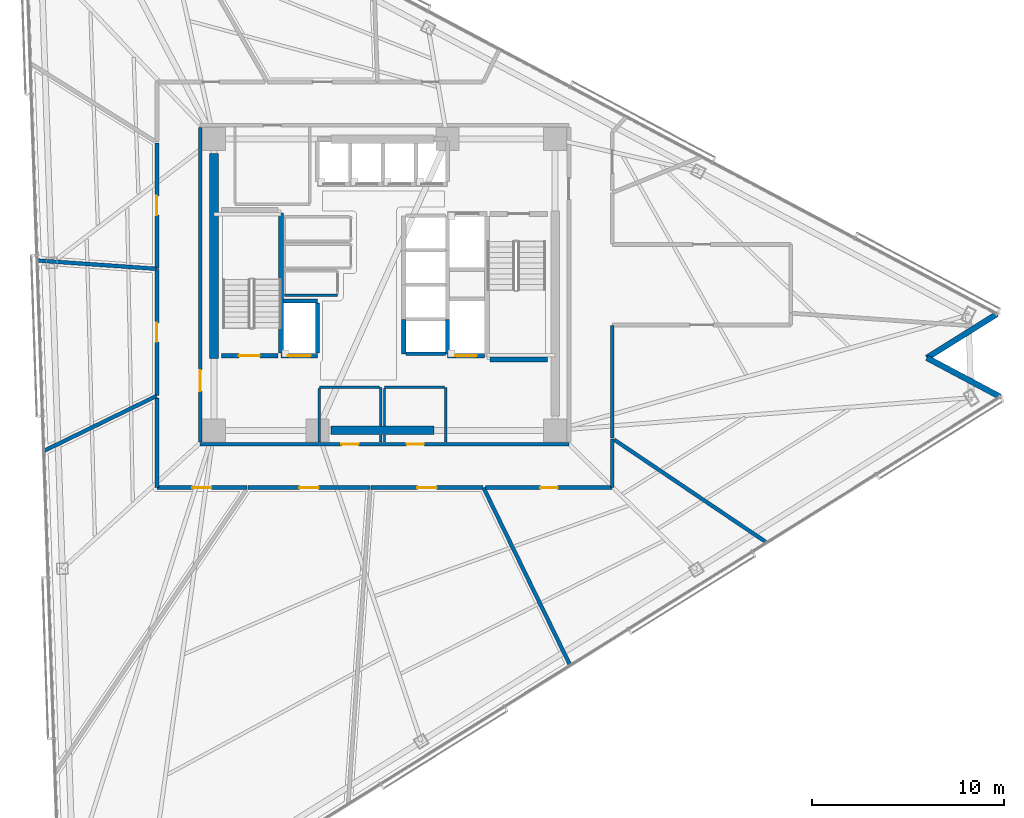
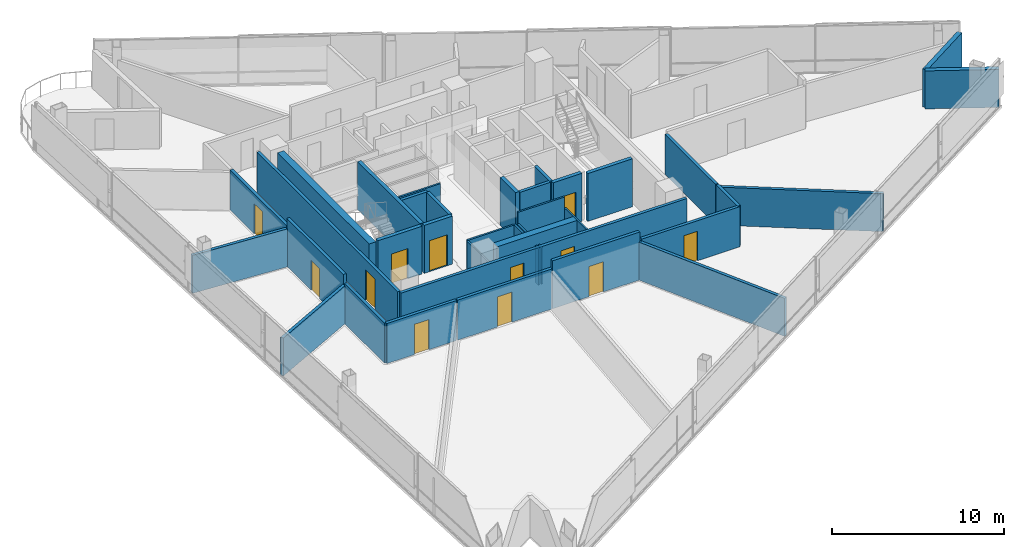
# One storey, part 12 of 20: 38 walls, 12 doors, 12 openings.
"""IFC4 building model written with IfcOpenShell, lengths in metres."""

from ifc_helpers import new_model, si_unit, direction, frame, frame_2d, origin, place, context, subcontext, project, spatial, rectangle, extrude, material, layer, layer_set, type_object, element, fill, save


model = new_model("IFC4")

# Units and contexts
model_context = context("Model", 3, precision=1e-05, world=origin(), true_north=direction((0.0, 1.0)))
body_context = subcontext(model_context, "Body", "Model", "MODEL_VIEW")
ifc_project = project(units=[si_unit("LENGTHUNIT", "METRE"), si_unit("AREAUNIT", "SQUARE_METRE"), si_unit("VOLUMEUNIT", "CUBIC_METRE"), si_unit("PLANEANGLEUNIT", "RADIAN"), si_unit("MASSUNIT", "GRAM", prefix="KILO")], contexts=[model_context])

# Site, building, storey
site_placement = place(None, origin())
site = spatial("IfcSite", under=ifc_project, at=site_placement, CompositionType="ELEMENT")
building_placement = place(site_placement, origin())
building = spatial("IfcBuilding", under=site, at=building_placement, Name="Tharavind Bronze Gate", CompositionType="ELEMENT")
storey_placement = place(building_placement, frame((0.0, 0.0, 149.60009765625)))
storey = spatial("IfcBuildingStorey", under=building, at=storey_placement, Name="L38", CompositionType="ELEMENT", Elevation=149.60009765625)

# Walls
ifc_material_1 = material(Name="Concrete C40/50", Category="concrete")
ifc_layer_1 = layer(ifc_material_1, 0.300048828125)
ifc_layer_set_1 = layer_set([ifc_layer_1], Name="Concrete C40/50")
wall_type_1 = type_object("IfcWallType", Name="EXTERIOR SPANDREL WALL 300", PredefinedType="STANDARD", material=ifc_layer_set_1)
wall_1_placement = place(storey_placement, frame((32.114501953125, -5.83984375, 0.0), z_axis=(0.0, 0.0, 1.0), x_axis=(-0.882945167019, 0.469476125099, 0.0)))
element("IfcWall", 1, at=wall_1_placement, inside=storey, type_object=wall_type_1, Name="L38 notch cheek wall 3A", PredefinedType="STANDARD", context=body_context, shape_type="SweptSolid", body=[
    extrude(rectangle(XDim=4.31982421875, YDim=0.300048828125, at=frame_2d((2.159912109375, 0.0))), origin(), (0.0, 0.0, 1.0), 2.704833984375),
])
wall_2_placement = place(storey_placement, frame((28.30029296875, -3.811767578125, 0.0), z_axis=(0.0, 0.0, 1.0), x_axis=(0.848042749904, 0.529927819929, 0.0)))
element("IfcWall", 2, at=wall_2_placement, inside=storey, type_object=wall_type_1, Name="L38 notch cheek wall 3B", PredefinedType="STANDARD", context=body_context, shape_type="SweptSolid", body=[
    extrude(rectangle(XDim=4.320068359375, YDim=0.300048828125, at=frame_2d((2.16015625, 0.0))), origin(), (0.0, 0.0, 1.0), 2.704833984375),
])

# Wall, openings, doors
ifc_material_2 = material(Name="Aerated Concrete Block", Category="concrete")
ifc_layer_2 = layer(ifc_material_2, 0.199951171875)
ifc_layer_set_2 = layer_set([ifc_layer_2], Name="Aerated Concrete Block")
wall_type_2 = type_object("IfcWallType", Name="FIRE RATED PARTITION 200", PredefinedType="PARTITIONING", material=ifc_layer_set_2)
wall_3_placement = place(storey_placement, frame((-9.6201171875, -8.320068359375, 0.0), z_axis=(0.0, 0.0, 1.0), x_axis=(1.0, 0.0, 0.0)))
wall_3 = element("IfcWall", 3, at=wall_3_placement, inside=storey, type_object=wall_type_2, Name="L38 south core corridor wall", PredefinedType="PARTITIONING", context=body_context, shape_type="SweptSolid", body=[
    extrude(rectangle(XDim=19.240234375, YDim=0.199951171875, at=frame_2d((9.6201171875, 0.0))), origin(), (0.0, 0.0, 1.0), 2.85498046875),
])
opening_1_placement = place(wall_3_placement, frame((7.3701171875, 0.0, 0.0)))
opening_1 = element("IfcOpeningElement", 4, at=opening_1_placement, cuts=wall_3, Name="Opening ID07", PredefinedType="OPENING", context=body_context, shape_type="SweptSolid", body=[
    extrude(rectangle(XDim=0.89990234375, YDim=2.10009765625, at=frame_2d((0.449951171875, 1.050048828125))), frame((0.0, 0.11009765625, 0.0), z_axis=(0.0, -1.0, 0.0), x_axis=(1.0, 0.0, 0.0)), (0.0, 0.0, 1.0), 0.219951171875),
])
opening_2_placement = place(wall_3_placement, frame((10.77001953125, 0.0, 0.0)))
opening_2 = element("IfcOpeningElement", 5, at=opening_2_placement, cuts=wall_3, Name="Opening ID07", PredefinedType="OPENING", context=body_context, shape_type="SweptSolid", body=[
    extrude(rectangle(XDim=0.89990234375, YDim=2.10009765625, at=frame_2d((0.449951171875, 1.050048828125))), frame((0.0, 0.11009765625, 0.0), z_axis=(0.0, -1.0, 0.0), x_axis=(1.0, 0.0, 0.0)), (0.0, 0.0, 1.0), 0.219951171875),
])
ifc_material_3 = material(Name="Galvanised Fire Steel", Category="steel")
door_type_1 = type_object("IfcDoorType", Name="PLANT AND RISER FIRE DOOR 900X2100", OperationType="SINGLE_SWING_LEFT", PredefinedType="DOOR", material=ifc_material_3)
door_1_placement = place(opening_1_placement, frame((0.89990234375, 0.0, 0.0), z_axis=(0.0, 0.0, 1.0), x_axis=(-1.0, 0.0, 0.0)))
door_1 = element("IfcDoor", 6, at=door_1_placement, inside=storey, type_object=door_type_1, Name="L38 Core Archive Store fire door", OperationType="SINGLE_SWING_LEFT", OverallHeight=2.10009765625, OverallWidth=0.89990234375, PredefinedType="DOOR", context=body_context, shape_type="SweptSolid", body=[
    extrude(rectangle(XDim=0.89990234375, YDim=2.10009765625, at=frame_2d((0.449951171875, 1.050048828125))), frame((0.0, 0.02490234375, 0.0), z_axis=(0.0, -1.0, 0.0), x_axis=(1.0, 0.0, 0.0)), (0.0, 0.0, 1.0), 0.050048828125),
])
fill(opening_1, door_1)
door_2_placement = place(opening_2_placement, frame((0.89990234375, 0.0, 0.0), z_axis=(0.0, 0.0, 1.0), x_axis=(-1.0, 0.0, 0.0)))
door_2 = element("IfcDoor", 7, at=door_2_placement, inside=storey, type_object=door_type_1, Name="L38 Core Server Room fire door", OperationType="SINGLE_SWING_LEFT", OverallHeight=2.10009765625, OverallWidth=0.89990234375, PredefinedType="DOOR", context=body_context, shape_type="SweptSolid", body=[
    extrude(rectangle(XDim=0.89990234375, YDim=2.10009765625, at=frame_2d((0.449951171875, 1.050048828125))), frame((0.0, 0.02490234375, 0.0), z_axis=(0.0, -1.0, 0.0), x_axis=(1.0, 0.0, 0.0)), (0.0, 0.0, 1.0), 0.050048828125),
])
fill(opening_2, door_2)

# Wall, opening, door
wall_4_placement = place(storey_placement, frame((-9.6201171875, 8.199951171875, 0.0), z_axis=(0.0, 0.0, 1.0), x_axis=(0.0, -1.0, 0.0)))
wall_4 = element("IfcWall", 8, at=wall_4_placement, inside=storey, type_object=wall_type_2, Name="L38 west core corridor wall", PredefinedType="PARTITIONING", context=body_context, shape_type="SweptSolid", body=[
    extrude(rectangle(XDim=16.39990234375, YDim=0.199951171875, at=frame_2d((8.199951171875, 0.0))), origin(), (0.0, 0.0, 1.0), 2.85498046875),
])
opening_3_placement = place(wall_4_placement, frame((12.64990234375, 0.0, 0.0)))
opening_3 = element("IfcOpeningElement", 9, at=opening_3_placement, cuts=wall_4, Name="Opening ID01", PredefinedType="OPENING", context=body_context, shape_type="SweptSolid", body=[
    extrude(rectangle(XDim=1.10009765625, YDim=2.14990234375, at=frame_2d((0.550048828125, 1.074951171875))), frame((0.0, 0.11009765625, 0.0), z_axis=(0.0, -1.0, 0.0), x_axis=(1.0, 0.0, 0.0)), (0.0, 0.0, 1.0), 0.219951171875),
])
ifc_material_4 = material(Name="Fire-Rated Steel", Category="steel")
door_type_2 = type_object("IfcDoorType", Name="STAIR CORE FIRE DOOR 1100X2150", OperationType="SINGLE_SWING_LEFT", PredefinedType="DOOR", material=ifc_material_4)
door_3_placement = place(opening_3_placement, frame((1.10009765625, 0.0, 0.0), z_axis=(0.0, 0.0, 1.0), x_axis=(-1.0, 0.0, 0.0)))
door_3 = element("IfcDoor", 10, at=door_3_placement, inside=storey, type_object=door_type_2, Name="L38 south west stair lobby fire door", OperationType="SINGLE_SWING_LEFT", OverallHeight=2.14990234375, OverallWidth=1.10009765625, PredefinedType="DOOR", context=body_context, shape_type="SweptSolid", body=[
    extrude(rectangle(XDim=1.10009765625, YDim=2.14990234375, at=frame_2d((0.550048828125, 1.074951171875))), frame((0.0, 0.02490234375, 0.0), z_axis=(0.0, -1.0, 0.0), x_axis=(1.0, 0.0, 0.0)), (0.0, 0.0, 1.0), 0.050048828125),
])
fill(opening_3, door_3)

wall_5_placement = place(storey_placement, frame((-11.8798828125, 7.40966796875, 0.0), z_axis=(0.0, 0.0, 1.0), x_axis=(0.0, -1.0, 0.0)))
wall_5 = element("IfcWall", 11, at=wall_5_placement, inside=storey, type_object=wall_type_2, Name="L38 Project Office 3 partition", PredefinedType="PARTITIONING", context=body_context, shape_type="SweptSolid", body=[
    extrude(rectangle(XDim=6.55224609375, YDim=0.199951171875, at=frame_2d((3.276123046875, 0.0))), origin(), (0.0, 0.0, 1.0), 2.85498046875),
])
opening_4_placement = place(wall_5_placement, frame((2.77587890625, 0.0, 0.0)))
opening_4 = element("IfcOpeningElement", 12, at=opening_4_placement, cuts=wall_5, Name="Opening ID04", PredefinedType="OPENING", context=body_context, shape_type="SweptSolid", body=[
    extrude(rectangle(XDim=1.0, YDim=2.14990234375, at=frame_2d((0.5, 1.074951171875))), frame((0.0, 0.11009765625, 0.0), z_axis=(0.0, -1.0, 0.0), x_axis=(1.0, 0.0, 0.0)), (0.0, 0.0, 1.0), 0.219951171875),
])
ifc_material_5 = material(Name="Bronze Framed Acoustic Timber", Category="wood")
door_type_3 = type_object("IfcDoorType", Name="OFFICE TENANCY DOOR 1000X2150", OperationType="SINGLE_SWING_RIGHT", PredefinedType="DOOR", material=ifc_material_5)
door_4_placement = place(opening_4_placement, origin())
door_4 = element("IfcDoor", 13, at=door_4_placement, inside=storey, type_object=door_type_3, Name="L38 Project Office 3 door", OperationType="SINGLE_SWING_RIGHT", OverallHeight=2.14990234375, OverallWidth=1.0, PredefinedType="DOOR", context=body_context, shape_type="SweptSolid", body=[
    extrude(rectangle(XDim=1.0, YDim=2.14990234375, at=frame_2d((0.5, 1.074951171875))), frame((0.0, 0.02490234375, 0.0), z_axis=(0.0, -1.0, 0.0), x_axis=(1.0, 0.0, 0.0)), (0.0, 0.0, 1.0), 0.050048828125),
])
fill(opening_4, door_4)

# Wall
wall_6_placement = place(storey_placement, frame((-11.90673828125, 0.83251953125, 0.0), z_axis=(0.0, 0.0, 1.0), x_axis=(-0.997563977179, 0.069757518842, 0.0)))
element("IfcWall", 14, at=wall_6_placement, inside=storey, type_object=wall_type_2, Name="L38 Project Office 3 partition", PredefinedType="PARTITIONING", context=body_context, shape_type="SweptSolid", body=[
    extrude(rectangle(XDim=6.208740234375, YDim=0.199951171875, at=frame_2d((3.1044921875, 0.0))), origin(), (0.0, 0.0, 1.0), 2.704833984375),
])

# Wall, opening, door
wall_7_placement = place(storey_placement, frame((-11.8798828125, 0.807373046875, 0.0), z_axis=(0.0, 0.0, 1.0), x_axis=(0.0, -1.0, 0.0)))
wall_7 = element("IfcWall", 15, at=wall_7_placement, inside=storey, type_object=wall_type_2, Name="L38 Partner Office 4 partition", PredefinedType="PARTITIONING", context=body_context, shape_type="SweptSolid", body=[
    extrude(rectangle(XDim=6.5859375, YDim=0.199951171875, at=frame_2d((3.29296875, 0.0))), origin(), (0.0, 0.0, 1.0), 3.409912109375),
])
opening_5_placement = place(wall_7_placement, frame((2.79296875, 0.0, 0.0)))
opening_5 = element("IfcOpeningElement", 16, at=opening_5_placement, cuts=wall_7, Name="Opening ID04", PredefinedType="OPENING", context=body_context, shape_type="SweptSolid", body=[
    extrude(rectangle(XDim=1.0, YDim=2.14990234375, at=frame_2d((0.5, 1.074951171875))), frame((0.0, 0.11009765625, 0.0), z_axis=(0.0, -1.0, 0.0), x_axis=(1.0, 0.0, 0.0)), (0.0, 0.0, 1.0), 0.219951171875),
])
door_5_placement = place(opening_5_placement, origin())
door_5 = element("IfcDoor", 17, at=door_5_placement, inside=storey, type_object=door_type_3, Name="L38 Partner Office 4 door", OperationType="SINGLE_SWING_RIGHT", OverallHeight=2.14990234375, OverallWidth=1.0, PredefinedType="DOOR", context=body_context, shape_type="SweptSolid", body=[
    extrude(rectangle(XDim=1.0, YDim=2.14990234375, at=frame_2d((0.5, 1.074951171875))), frame((0.0, 0.02490234375, 0.0), z_axis=(0.0, -1.0, 0.0), x_axis=(1.0, 0.0, 0.0)), (0.0, 0.0, 1.0), 0.050048828125),
])
fill(opening_5, door_5)

# Walls
wall_8_placement = place(storey_placement, frame((-11.89404296875, -5.801025390625, 0.0), z_axis=(0.0, 0.0, 1.0), x_axis=(-0.89877884349, -0.438402315796, 0.0)))
element("IfcWall", 18, at=wall_8_placement, inside=storey, type_object=wall_type_2, Name="L38 Partner Office 4 partition", PredefinedType="PARTITIONING", context=body_context, shape_type="SweptSolid", body=[
    extrude(rectangle(XDim=6.5439453125, YDim=0.199951171875, at=frame_2d((3.27197265625, 0.0))), origin(), (0.0, 0.0, 1.0), 2.704833984375),
])
wall_9_placement = place(storey_placement, frame((-11.8798828125, -5.9111328125, 0.0), z_axis=(0.0, 0.0, 1.0), x_axis=(0.0, -1.0, 0.0)))
element("IfcWall", 19, at=wall_9_placement, inside=storey, type_object=wall_type_2, Name="L38 Partner Office 5 partition", PredefinedType="PARTITIONING", context=body_context, shape_type="SweptSolid", body=[
    extrude(rectangle(XDim=4.668212890625, YDim=0.199951171875, at=frame_2d((2.333984375, 0.0))), origin(), (0.0, 0.0, 1.0), 2.85498046875),
])

# Wall, opening, door
wall_10_placement = place(storey_placement, frame((-11.87939453125, -10.580078125, 0.0), z_axis=(0.0, 0.0, 1.0), x_axis=(1.0, 0.0, 0.0)))
wall_10 = element("IfcWall", 20, at=wall_10_placement, inside=storey, type_object=wall_type_2, Name="L38 Partner Office 5 partition", PredefinedType="PARTITIONING", context=body_context, shape_type="SweptSolid", body=[
    extrude(rectangle(XDim=4.696044921875, YDim=0.199951171875, at=frame_2d((2.34814453125, 0.0))), origin(), (0.0, 0.0, 1.0), 2.85498046875),
])
opening_6_placement = place(wall_10_placement, frame((1.847900390625, 0.0, 0.0)))
opening_6 = element("IfcOpeningElement", 21, at=opening_6_placement, cuts=wall_10, Name="Opening ID04", PredefinedType="OPENING", context=body_context, shape_type="SweptSolid", body=[
    extrude(rectangle(XDim=1.0, YDim=2.14990234375, at=frame_2d((0.5, 1.074951171875))), frame((0.0, 0.11009765625, 0.0), z_axis=(0.0, -1.0, 0.0), x_axis=(1.0, 0.0, 0.0)), (0.0, 0.0, 1.0), 0.219951171875),
])
door_6_placement = place(opening_6_placement, origin())
door_6 = element("IfcDoor", 22, at=door_6_placement, inside=storey, type_object=door_type_3, Name="L38 Partner Office 5 door", OperationType="SINGLE_SWING_RIGHT", OverallHeight=2.14990234375, OverallWidth=1.0, PredefinedType="DOOR", context=body_context, shape_type="SweptSolid", body=[
    extrude(rectangle(XDim=1.0, YDim=2.14990234375, at=frame_2d((0.5, 1.074951171875))), frame((0.0, 0.02490234375, 0.0), z_axis=(0.0, -1.0, 0.0), x_axis=(1.0, 0.0, 0.0)), (0.0, 0.0, 1.0), 0.050048828125),
])
fill(opening_6, door_6)

wall_11_placement = place(storey_placement, frame((-7.123046875, -10.580078125, 0.0), z_axis=(0.0, 0.0, 1.0), x_axis=(1.0, 0.0, 0.0)))
wall_11 = element("IfcWall", 23, at=wall_11_placement, inside=storey, type_object=wall_type_2, Name="L38 Research Office 6 partition", PredefinedType="PARTITIONING", context=body_context, shape_type="SweptSolid", body=[
    extrude(rectangle(XDim=6.3564453125, YDim=0.199951171875, at=frame_2d((3.17822265625, 0.0))), origin(), (0.0, 0.0, 1.0), 2.85498046875),
])
opening_7_placement = place(wall_11_placement, frame((2.677978515625, 0.0, 0.0)))
opening_7 = element("IfcOpeningElement", 24, at=opening_7_placement, cuts=wall_11, Name="Opening ID04", PredefinedType="OPENING", context=body_context, shape_type="SweptSolid", body=[
    extrude(rectangle(XDim=1.0, YDim=2.14990234375, at=frame_2d((0.5, 1.074951171875))), frame((0.0, 0.11009765625, 0.0), z_axis=(0.0, -1.0, 0.0), x_axis=(1.0, 0.0, 0.0)), (0.0, 0.0, 1.0), 0.219951171875),
])
door_7_placement = place(opening_7_placement, origin())
door_7 = element("IfcDoor", 25, at=door_7_placement, inside=storey, type_object=door_type_3, Name="L38 Research Office 6 door", OperationType="SINGLE_SWING_RIGHT", OverallHeight=2.14990234375, OverallWidth=1.0, PredefinedType="DOOR", context=body_context, shape_type="SweptSolid", body=[
    extrude(rectangle(XDim=1.0, YDim=2.14990234375, at=frame_2d((0.5, 1.074951171875))), frame((0.0, 0.02490234375, 0.0), z_axis=(0.0, -1.0, 0.0), x_axis=(1.0, 0.0, 0.0)), (0.0, 0.0, 1.0), 0.050048828125),
])
fill(opening_7, door_7)

wall_12_placement = place(storey_placement, frame((-0.716552734375, -10.580078125, 0.0), z_axis=(0.0, 0.0, 1.0), x_axis=(1.0, 0.0, 0.0)))
wall_12 = element("IfcWall", 26, at=wall_12_placement, inside=storey, type_object=wall_type_2, Name="L38 Open Office partition", PredefinedType="PARTITIONING", context=body_context, shape_type="SweptSolid", body=[
    extrude(rectangle(XDim=5.861083984375, YDim=0.199951171875, at=frame_2d((2.9306640625, 0.0))), origin(), (0.0, 0.0, 1.0), 3.409912109375),
])
opening_8_placement = place(wall_12_placement, frame((2.430908203125, 0.0, 0.0)))
opening_8 = element("IfcOpeningElement", 27, at=opening_8_placement, cuts=wall_12, Name="Opening ID04", PredefinedType="OPENING", context=body_context, shape_type="SweptSolid", body=[
    extrude(rectangle(XDim=1.0, YDim=2.14990234375, at=frame_2d((0.5, 1.074951171875))), frame((0.0, 0.11009765625, 0.0), z_axis=(0.0, -1.0, 0.0), x_axis=(1.0, 0.0, 0.0)), (0.0, 0.0, 1.0), 0.219951171875),
])
door_8_placement = place(opening_8_placement, origin())
door_8 = element("IfcDoor", 28, at=door_8_placement, inside=storey, type_object=door_type_3, Name="L38 Open Office door", OperationType="SINGLE_SWING_RIGHT", OverallHeight=2.14990234375, OverallWidth=1.0, PredefinedType="DOOR", context=body_context, shape_type="SweptSolid", body=[
    extrude(rectangle(XDim=1.0, YDim=2.14990234375, at=frame_2d((0.5, 1.074951171875))), frame((0.0, 0.02490234375, 0.0), z_axis=(0.0, -1.0, 0.0), x_axis=(1.0, 0.0, 0.0)), (0.0, 0.0, 1.0), 0.050048828125),
])
fill(opening_8, door_8)

# Wall
wall_13_placement = place(storey_placement, frame((5.1669921875, -10.593994140625, 0.0), z_axis=(0.0, 0.0, 1.0), x_axis=(0.438378255041, -0.898790579338, 0.0)))
element("IfcWall", 29, at=wall_13_placement, inside=storey, type_object=wall_type_2, Name="L38 Open Office partition", PredefinedType="PARTITIONING", context=body_context, shape_type="SweptSolid", body=[
    extrude(rectangle(XDim=10.282470703125, YDim=0.199951171875, at=frame_2d((5.14111328125, 0.0))), origin(), (0.0, 0.0, 1.0), 2.704833984375),
])

# Wall, opening, door
wall_14_placement = place(storey_placement, frame((5.277099609375, -10.580078125, 0.0), z_axis=(0.0, 0.0, 1.0), x_axis=(1.0, 0.0, 0.0)))
wall_14 = element("IfcWall", 30, at=wall_14_placement, inside=storey, type_object=wall_type_2, Name="L38 Reference Archive Store partition", PredefinedType="PARTITIONING", context=body_context, shape_type="SweptSolid", body=[
    extrude(rectangle(XDim=6.602294921875, YDim=0.199951171875, at=frame_2d((3.30126953125, 0.0))), origin(), (0.0, 0.0, 1.0), 2.85498046875),
])
opening_9_placement = place(wall_14_placement, frame((2.85107421875, 0.0, 0.0)))
opening_9 = element("IfcOpeningElement", 31, at=opening_9_placement, cuts=wall_14, Name="Opening ID07", PredefinedType="OPENING", context=body_context, shape_type="SweptSolid", body=[
    extrude(rectangle(XDim=0.89990234375, YDim=2.10009765625, at=frame_2d((0.449951171875, 1.050048828125))), frame((0.0, 0.11009765625, 0.0), z_axis=(0.0, -1.0, 0.0), x_axis=(1.0, 0.0, 0.0)), (0.0, 0.0, 1.0), 0.219951171875),
])
door_9_placement = place(opening_9_placement, origin())
door_9 = element("IfcDoor", 32, at=door_9_placement, inside=storey, type_object=door_type_1, Name="L38 Reference Archive Store door", OperationType="SINGLE_SWING_LEFT", OverallHeight=2.10009765625, OverallWidth=0.89990234375, PredefinedType="DOOR", context=body_context, shape_type="SweptSolid", body=[
    extrude(rectangle(XDim=0.89990234375, YDim=2.10009765625, at=frame_2d((0.449951171875, 1.050048828125))), frame((0.0, 0.02490234375, 0.0), z_axis=(0.0, -1.0, 0.0), x_axis=(1.0, 0.0, 0.0)), (0.0, 0.0, 1.0), 0.050048828125),
])
fill(opening_9, door_9)

# Walls
wall_15_placement = place(storey_placement, frame((11.8798828125, -10.579345703125, 0.0), z_axis=(0.0, 0.0, 1.0), x_axis=(0.0, 1.0, 0.0)))
element("IfcWall", 33, at=wall_15_placement, inside=storey, type_object=wall_type_2, Name="L38 Reference Archive Store partition", PredefinedType="PARTITIONING", context=body_context, shape_type="SweptSolid", body=[
    extrude(rectangle(XDim=2.51904296875, YDim=0.199951171875, at=frame_2d((1.259521484375, 0.0))), origin(), (0.0, 0.0, 1.0), 2.85498046875),
])
wall_16_placement = place(storey_placement, frame((11.985107421875, -8.083984375, 0.0), z_axis=(0.0, 0.0, 1.0), x_axis=(0.8290350884, -0.559196586365, 0.0)))
element("IfcWall", 34, at=wall_16_placement, inside=storey, type_object=wall_type_2, Name="L38 Reference Archive Store partition", PredefinedType="PARTITIONING", context=body_context, shape_type="SweptSolid", body=[
    extrude(rectangle(XDim=9.59326171875, YDim=0.199951171875, at=frame_2d((4.796630859375, 0.0))), origin(), (0.0, 0.0, 1.0), 2.704833984375),
])
wall_17_placement = place(storey_placement, frame((11.8798828125, -8.0, 0.0), z_axis=(0.0, 0.0, 1.0), x_axis=(0.0, 1.0, 0.0)))
element("IfcWall", 35, at=wall_17_placement, inside=storey, type_object=wall_type_2, Name="L38 Client Lounge partition", PredefinedType="PARTITIONING", context=body_context, shape_type="SweptSolid", body=[
    extrude(rectangle(XDim=5.875, YDim=0.199951171875, at=frame_2d((2.9375, 0.0))), origin(), (0.0, 0.0, 1.0), 2.85498046875),
])
ifc_material_6 = material(Name="Metal Stud Gypsum Partition", Category="gypsum")
ifc_layer_3 = layer(ifc_material_6, 0.1201171875)
ifc_layer_set_3 = layer_set([ifc_layer_3], Name="Metal Stud Gypsum Partition")
wall_type_3 = type_object("IfcWallType", Name="INTERIOR PARTITION WALL 120", PredefinedType="PARTITIONING", material=ifc_layer_set_3)
wall_18_placement = place(storey_placement, frame((-5.219970703125, -0.550048828125, 0.0), z_axis=(0.0, 0.0, 1.0), x_axis=(1.0, 0.0, 0.0)))
element("IfcWall", 36, at=wall_18_placement, inside=storey, type_object=wall_type_3, Name="L38 Electrical Metering Store partition 1", PredefinedType="PARTITIONING", context=body_context, shape_type="SweptSolid", body=[
    extrude(rectangle(XDim=2.77001953125, YDim=0.1201171875, at=frame_2d((1.385009765625, 0.0))), origin(), (0.0, 0.0, 1.0), 3.409912109375),
])
wall_19_placement = place(storey_placement, frame((-0.199951171875, -8.215087890625, 0.0), z_axis=(0.0, 0.0, 1.0), x_axis=(0.0, 1.0, 0.0)))
element("IfcWall", 37, at=wall_19_placement, inside=storey, type_object=wall_type_3, Name="L38 Core Archive Store partition 2", PredefinedType="PARTITIONING", context=body_context, shape_type="SweptSolid", body=[
    extrude(rectangle(XDim=0.385009765625, YDim=0.1201171875, at=frame_2d((0.1923828125, 0.0))), origin(), (0.0, 0.0, 1.0), 2.60498046875),
])
wall_20_placement = place(storey_placement, frame((-0.199951171875, -7.3701171875, 0.0), z_axis=(0.0, 0.0, 1.0), x_axis=(0.0, 1.0, 0.0)))
element("IfcWall", 38, at=wall_20_placement, inside=storey, type_object=wall_type_3, Name="L38 Core Archive Store partition 2", PredefinedType="PARTITIONING", context=body_context, shape_type="SweptSolid", body=[
    extrude(rectangle(XDim=2.02001953125, YDim=0.1201171875, at=frame_2d((1.010009765625, 0.0))), origin(), (0.0, 0.0, 1.0), 2.60498046875),
])
wall_21_placement = place(storey_placement, frame((-0.264892578125, -5.35009765625, 0.0), z_axis=(0.0, 0.0, 1.0), x_axis=(-1.0, 0.0, 0.0)))
element("IfcWall", 39, at=wall_21_placement, inside=storey, type_object=wall_type_3, Name="L38 Core Archive Store partition 3", PredefinedType="PARTITIONING", context=body_context, shape_type="SweptSolid", body=[
    extrude(rectangle(XDim=3.135009765625, YDim=0.1201171875, at=frame_2d((1.5673828125, 0.0))), origin(), (0.0, 0.0, 1.0), 2.60498046875),
])
wall_22_placement = place(storey_placement, frame((-3.39990234375, -5.4150390625, 0.0), z_axis=(0.0, 0.0, 1.0), x_axis=(0.0, -1.0, 0.0)))
element("IfcWall", 40, at=wall_22_placement, inside=storey, type_object=wall_type_3, Name="L38 Core Archive Store partition 4", PredefinedType="PARTITIONING", context=body_context, shape_type="SweptSolid", body=[
    extrude(rectangle(XDim=2.800048828125, YDim=0.1201171875, at=frame_2d((1.39990234375, 0.0))), origin(), (0.0, 0.0, 1.0), 2.60498046875),
])
wall_23_placement = place(storey_placement, frame((3.199951171875, -8.215087890625, 0.0), z_axis=(0.0, 0.0, 1.0), x_axis=(0.0, 1.0, 0.0)))
element("IfcWall", 41, at=wall_23_placement, inside=storey, type_object=wall_type_3, Name="L38 Core Server Room partition 2", PredefinedType="PARTITIONING", context=body_context, shape_type="SweptSolid", body=[
    extrude(rectangle(XDim=2.864990234375, YDim=0.1201171875, at=frame_2d((1.4326171875, 0.0))), origin(), (0.0, 0.0, 1.0), 2.60498046875),
])
wall_24_placement = place(storey_placement, frame((3.135009765625, -5.35009765625, 0.0), z_axis=(0.0, 0.0, 1.0), x_axis=(-1.0, 0.0, 0.0)))
element("IfcWall", 42, at=wall_24_placement, inside=storey, type_object=wall_type_3, Name="L38 Core Server Room partition 3", PredefinedType="PARTITIONING", context=body_context, shape_type="SweptSolid", body=[
    extrude(rectangle(XDim=3.135009765625, YDim=0.1201171875, at=frame_2d((1.5673828125, 0.0))), origin(), (0.0, 0.0, 1.0), 3.409912109375),
])
wall_25_placement = place(storey_placement, frame((0.0, -5.4150390625, 0.0), z_axis=(0.0, 0.0, 1.0), x_axis=(0.0, -1.0, 0.0)))
element("IfcWall", 43, at=wall_25_placement, inside=storey, type_object=wall_type_3, Name="L38 Core Server Room partition 4", PredefinedType="PARTITIONING", context=body_context, shape_type="SweptSolid", body=[
    extrude(rectangle(XDim=1.955078125, YDim=0.1201171875, at=frame_2d((0.9775390625, 0.0))), origin(), (0.0, 0.0, 1.0), 2.60498046875),
])
wall_26_placement = place(storey_placement, frame((0.0, -7.830078125, 0.0), z_axis=(0.0, 0.0, 1.0), x_axis=(0.0, -1.0, 0.0)))
element("IfcWall", 44, at=wall_26_placement, inside=storey, type_object=wall_type_3, Name="L38 Core Server Room partition 4", PredefinedType="PARTITIONING", context=body_context, shape_type="SweptSolid", body=[
    extrude(rectangle(XDim=0.385009765625, YDim=0.1201171875, at=frame_2d((0.1923828125, 0.0))), origin(), (0.0, 0.0, 1.0), 2.60498046875),
])
ifc_material_7 = material(Name="Concrete C50/60", Category="concrete")
ifc_layer_4 = layer(ifc_material_7, 0.25)
ifc_layer_set_4 = layer_set([ifc_layer_4], Name="Concrete C50/60")
wall_type_4 = type_object("IfcWallType", Name="RC CORE SHEAR WALL 250", PredefinedType="SHEAR", material=ifc_layer_set_4)
wall_27_placement = place(storey_placement, frame((-5.39990234375, -3.550048828125, 0.0), z_axis=(0.0, 0.0, 1.0), x_axis=(0.0, 1.0, 0.0)))
element("IfcWall", 45, at=wall_27_placement, inside=storey, type_object=wall_type_4, Name="L38 ST1 shaft east wall", PredefinedType="SHEAR", context=body_context, shape_type="SweptSolid", body=[
    extrude(rectangle(XDim=7.300048828125, YDim=0.25, at=frame_2d((3.64990234375, 0.0))), origin(), (0.0, 0.0, 1.0), 3.409912109375),
])

# Wall, opening, door
wall_28_placement = place(storey_placement, frame((-8.5, -3.699951171875, 0.0), z_axis=(0.0, 0.0, 1.0), x_axis=(1.0, 0.0, 0.0)))
wall_28 = element("IfcWall", 46, at=wall_28_placement, inside=storey, type_object=wall_type_4, Name="L38 ST1 shaft south wall", PredefinedType="SHEAR", context=body_context, shape_type="SweptSolid", body=[
    extrude(rectangle(XDim=2.949951171875, YDim=0.25, at=frame_2d((1.47509765625, 0.0))), origin(), (0.0, 0.0, 1.0), 3.409912109375),
])
opening_10_placement = place(wall_28_placement, frame((0.89990234375, 0.0, 0.0)))
opening_10 = element("IfcOpeningElement", 47, at=opening_10_placement, cuts=wall_28, Name="Opening ID01", PredefinedType="OPENING", context=body_context, shape_type="SweptSolid", body=[
    extrude(rectangle(XDim=1.10009765625, YDim=2.14990234375, at=frame_2d((0.550048828125, 1.074951171875))), frame((0.0, 0.135, 0.0), z_axis=(0.0, -1.0, 0.0), x_axis=(1.0, 0.0, 0.0)), (0.0, 0.0, 1.0), 0.27),
])
door_10_placement = place(opening_10_placement, origin())
door_10 = element("IfcDoor", 48, at=door_10_placement, inside=storey, type_object=door_type_2, Name="L38 exit stair ST1 fire door", OperationType="SINGLE_SWING_LEFT", OverallHeight=2.14990234375, OverallWidth=1.10009765625, PredefinedType="DOOR", context=body_context, shape_type="SweptSolid", body=[
    extrude(rectangle(XDim=1.10009765625, YDim=2.14990234375, at=frame_2d((0.550048828125, 1.074951171875))), frame((0.0, 0.02490234375, 0.0), z_axis=(0.0, -1.0, 0.0), x_axis=(1.0, 0.0, 0.0)), (0.0, 0.0, 1.0), 0.050048828125),
])
fill(opening_10, door_10)

# Walls
wall_29_placement = place(storey_placement, frame((5.5, -3.89990234375, 0.0), z_axis=(0.0, 0.0, 1.0), x_axis=(1.0, 0.0, 0.0)))
element("IfcWall", 49, at=wall_29_placement, inside=storey, type_object=wall_type_4, Name="L38 ST2 shaft south wall", PredefinedType="SHEAR", context=body_context, shape_type="SweptSolid", body=[
    extrude(rectangle(XDim=3.0, YDim=0.25, at=frame_2d((1.5, 0.0))), origin(), (0.0, 0.0, 1.0), 3.409912109375),
])
wall_30_placement = place(storey_placement, frame((1.0, -3.60009765625, 0.0), z_axis=(0.0, 0.0, 1.0), x_axis=(0.0, 1.0, 0.0)))
element("IfcWall", 50, at=wall_30_placement, inside=storey, type_object=wall_type_4, Name="L38 lift PL9 shaft front wall", PredefinedType="SHEAR", context=body_context, shape_type="SweptSolid", body=[
    extrude(rectangle(XDim=1.800048828125, YDim=0.25, at=frame_2d((0.89990234375, 0.0))), origin(), (0.0, 0.0, 1.0), 3.409912109375),
])

# Wall, opening, door
wall_31_placement = place(storey_placement, frame((-5.39990234375, -3.699951171875, 0.0), z_axis=(0.0, 0.0, 1.0), x_axis=(1.0, 0.0, 0.0)))
wall_31 = element("IfcWall", 51, at=wall_31_placement, inside=storey, type_object=wall_type_4, Name="L38 lift FFL1 shaft front wall", PredefinedType="SHEAR", context=body_context, shape_type="SweptSolid", body=[
    extrude(rectangle(XDim=1.89990234375, YDim=0.25, at=frame_2d((0.949951171875, 0.0))), origin(), (0.0, 0.0, 1.0), 3.409912109375),
])
opening_11_placement = place(wall_31_placement, frame((0.35009765625, 0.0, 0.0)))
opening_11 = element("IfcOpeningElement", 52, at=opening_11_placement, cuts=wall_31, Name="Opening LD02", PredefinedType="OPENING", context=body_context, shape_type="SweptSolid", body=[
    extrude(rectangle(XDim=1.199951171875, YDim=2.199951171875, at=frame_2d((0.60009765625, 1.10009765625))), frame((0.0, 0.135, 0.0), z_axis=(0.0, -1.0, 0.0), x_axis=(1.0, 0.0, 0.0)), (0.0, 0.0, 1.0), 0.27),
])
ifc_material_8 = material(Name="Brushed Stainless Steel", Category="steel")
door_type_4 = type_object("IfcDoorType", Name="FIREFIGHTING LIFT LANDING DOOR 1200X2200", OperationType="SLIDING_TO_RIGHT", PredefinedType="DOOR", material=ifc_material_8)
door_11_placement = place(opening_11_placement, origin())
door_11 = element("IfcDoor", 53, at=door_11_placement, inside=storey, type_object=door_type_4, Name="L38 lift FFL1 sliding landing door", OperationType="SLIDING_TO_RIGHT", OverallHeight=2.199951171875, OverallWidth=1.199951171875, PredefinedType="DOOR", context=body_context, shape_type="SweptSolid", body=[
    extrude(rectangle(XDim=1.199951171875, YDim=2.199951171875, at=frame_2d((0.60009765625, 1.10009765625))), frame((0.0, 0.02490234375, 0.0), z_axis=(0.0, -1.0, 0.0), x_axis=(1.0, 0.0, 0.0)), (0.0, 0.0, 1.0), 0.050048828125),
])
fill(opening_11, door_11)

wall_32_placement = place(storey_placement, frame((3.280029296875, -3.699951171875, 0.0), z_axis=(0.0, 0.0, 1.0), x_axis=(1.0, 0.0, 0.0)))
wall_32 = element("IfcWall", 54, at=wall_32_placement, inside=storey, type_object=wall_type_4, Name="L38 lift SVL1 shaft front wall", PredefinedType="SHEAR", context=body_context, shape_type="SweptSolid", body=[
    extrude(rectangle(XDim=1.93994140625, YDim=0.25, at=frame_2d((0.969970703125, 0.0))), origin(), (0.0, 0.0, 1.0), 3.409912109375),
])
opening_12_placement = place(wall_32_placement, frame((0.419921875, 0.0, 0.0)))
opening_12 = element("IfcOpeningElement", 55, at=opening_12_placement, cuts=wall_32, Name="Opening LD01", PredefinedType="OPENING", context=body_context, shape_type="SweptSolid", body=[
    extrude(rectangle(XDim=1.10009765625, YDim=2.199951171875, at=frame_2d((0.550048828125, 1.10009765625))), frame((0.0, 0.135, 0.0), z_axis=(0.0, -1.0, 0.0), x_axis=(1.0, 0.0, 0.0)), (0.0, 0.0, 1.0), 0.27),
])
ifc_material_9 = material(Name="Brushed Bronze Stainless Steel", Category="steel")
door_type_5 = type_object("IfcDoorType", Name="LIFT LANDING SLIDING DOOR 1100X2200", OperationType="SLIDING_TO_LEFT", PredefinedType="DOOR", material=ifc_material_9)
door_12_placement = place(opening_12_placement, origin())
door_12 = element("IfcDoor", 56, at=door_12_placement, inside=storey, type_object=door_type_5, Name="L38 lift SVL1 sliding landing door", OperationType="SLIDING_TO_LEFT", OverallHeight=2.199951171875, OverallWidth=1.10009765625, PredefinedType="DOOR", context=body_context, shape_type="SweptSolid", body=[
    extrude(rectangle(XDim=1.10009765625, YDim=2.199951171875, at=frame_2d((0.550048828125, 1.10009765625))), frame((0.0, 0.02490234375, 0.0), z_axis=(0.0, -1.0, 0.0), x_axis=(1.0, 0.0, 0.0)), (0.0, 0.0, 1.0), 0.050048828125),
])
fill(opening_12, door_12)

# Walls
ifc_material_10 = material(Name="Concrete C60/75", Category="concrete")
ifc_layer_5 = layer(ifc_material_10, 0.449951171875)
ifc_layer_set_5 = layer_set([ifc_layer_5], Name="Concrete C60/75")
wall_type_5 = type_object("IfcWallType", Name="RC CORE SHEAR WALL 450", PredefinedType="SHEAR", material=ifc_layer_set_5)
wall_33_placement = place(storey_placement, frame((-2.800048828125, -7.60009765625, 0.0), z_axis=(0.0, 0.0, 1.0), x_axis=(1.0, 0.0, 0.0)))
element("IfcWall", 57, at=wall_33_placement, inside=storey, type_object=wall_type_5, Name="L38 south core shear wall", PredefinedType="SHEAR", context=body_context, shape_type="SweptSolid", body=[
    extrude(rectangle(XDim=5.380126953125, YDim=0.449951171875, at=frame_2d((2.68994140625, 0.0))), origin(), (0.0, 0.0, 1.0), 3.409912109375),
])
wall_34_placement = place(storey_placement, frame((-8.89990234375, -3.85009765625, 0.0), z_axis=(0.0, 0.0, 1.0), x_axis=(0.0, 1.0, 0.0)))
element("IfcWall", 58, at=wall_34_placement, inside=storey, type_object=wall_type_5, Name="L38 west core shear wall", PredefinedType="SHEAR", context=body_context, shape_type="SweptSolid", body=[
    extrude(rectangle(XDim=10.7001953125, YDim=0.449951171875, at=frame_2d((5.35009765625, 0.0))), origin(), (0.0, 0.0, 1.0), 3.409912109375),
])
ifc_layer_6 = layer(ifc_material_1, 0.199951171875)
ifc_layer_set_6 = layer_set([ifc_layer_6], Name="Concrete C40/50")
wall_type_6 = type_object("IfcWallType", Name="SHAFT ENCLOSURE WALL 200", PredefinedType="PARTITIONING", material=ifc_layer_set_6)
wall_35_placement = place(storey_placement, frame((3.280029296875, -3.60009765625, 0.0), z_axis=(0.0, 0.0, 1.0), x_axis=(0.0, 1.0, 0.0)))
element("IfcWall", 59, at=wall_35_placement, inside=storey, type_object=wall_type_6, Name="L38 lift PL9 shaft E enclosure wall", PredefinedType="PARTITIONING", context=body_context, shape_type="SweptSolid", body=[
    extrude(rectangle(XDim=1.800048828125, YDim=0.199951171875, at=frame_2d((0.89990234375, 0.0))), origin(), (0.0, 0.0, 1.0), 3.409912109375),
])
wall_36_placement = place(storey_placement, frame((1.1298828125, -3.60009765625, 0.0), z_axis=(0.0, 0.0, 1.0), x_axis=(1.0, 0.0, 0.0)))
element("IfcWall", 60, at=wall_36_placement, inside=storey, type_object=wall_type_6, Name="L38 lift PL9 shaft S enclosure wall", PredefinedType="PARTITIONING", context=body_context, shape_type="SweptSolid", body=[
    extrude(rectangle(XDim=2.045166015625, YDim=0.199951171875, at=frame_2d((1.0224609375, 0.0))), origin(), (0.0, 0.0, 1.0), 3.409912109375),
])
wall_37_placement = place(storey_placement, frame((-5.27001953125, -0.85009765625, 0.0), z_axis=(0.0, 0.0, 1.0), x_axis=(1.0, 0.0, 0.0)))
element("IfcWall", 61, at=wall_37_placement, inside=storey, type_object=wall_type_6, Name="L38 lift FFL1 shaft N enclosure wall", PredefinedType="PARTITIONING", context=body_context, shape_type="SweptSolid", body=[
    extrude(rectangle(XDim=1.77001953125, YDim=0.199951171875, at=frame_2d((0.885009765625, 0.0))), origin(), (0.0, 0.0, 1.0), 3.409912109375),
])
wall_38_placement = place(storey_placement, frame((-3.5, -3.570068359375, 0.0), z_axis=(0.0, 0.0, 1.0), x_axis=(0.0, 1.0, 0.0)))
element("IfcWall", 62, at=wall_38_placement, inside=storey, type_object=wall_type_6, Name="L38 lift FFL1 shaft E enclosure wall", PredefinedType="PARTITIONING", context=body_context, shape_type="SweptSolid", body=[
    extrude(rectangle(XDim=2.614990234375, YDim=0.199951171875, at=frame_2d((1.3076171875, 0.0))), origin(), (0.0, 0.0, 1.0), 3.409912109375),
])

save(model, "model.ifc")
